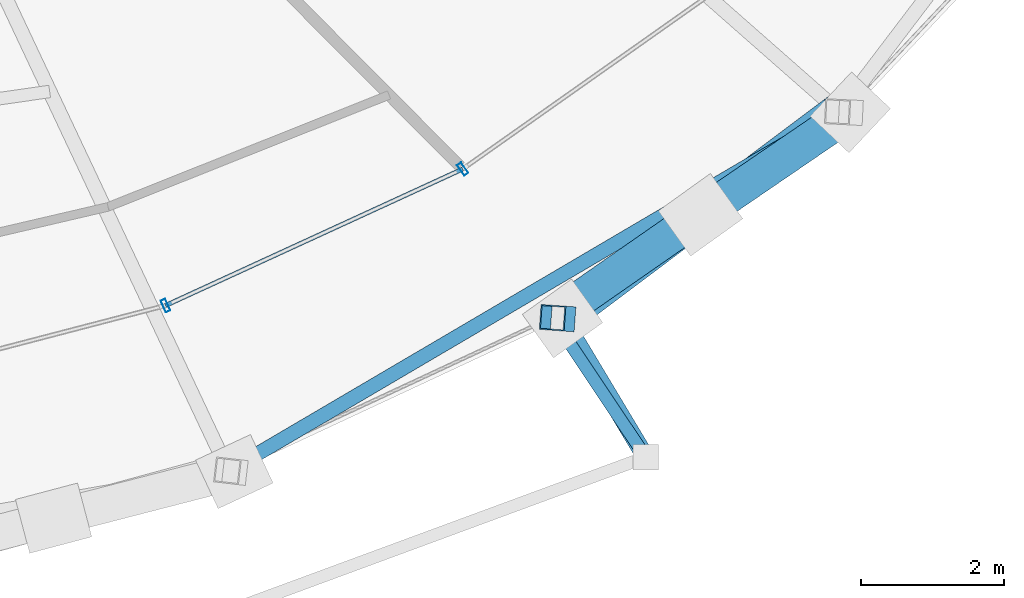
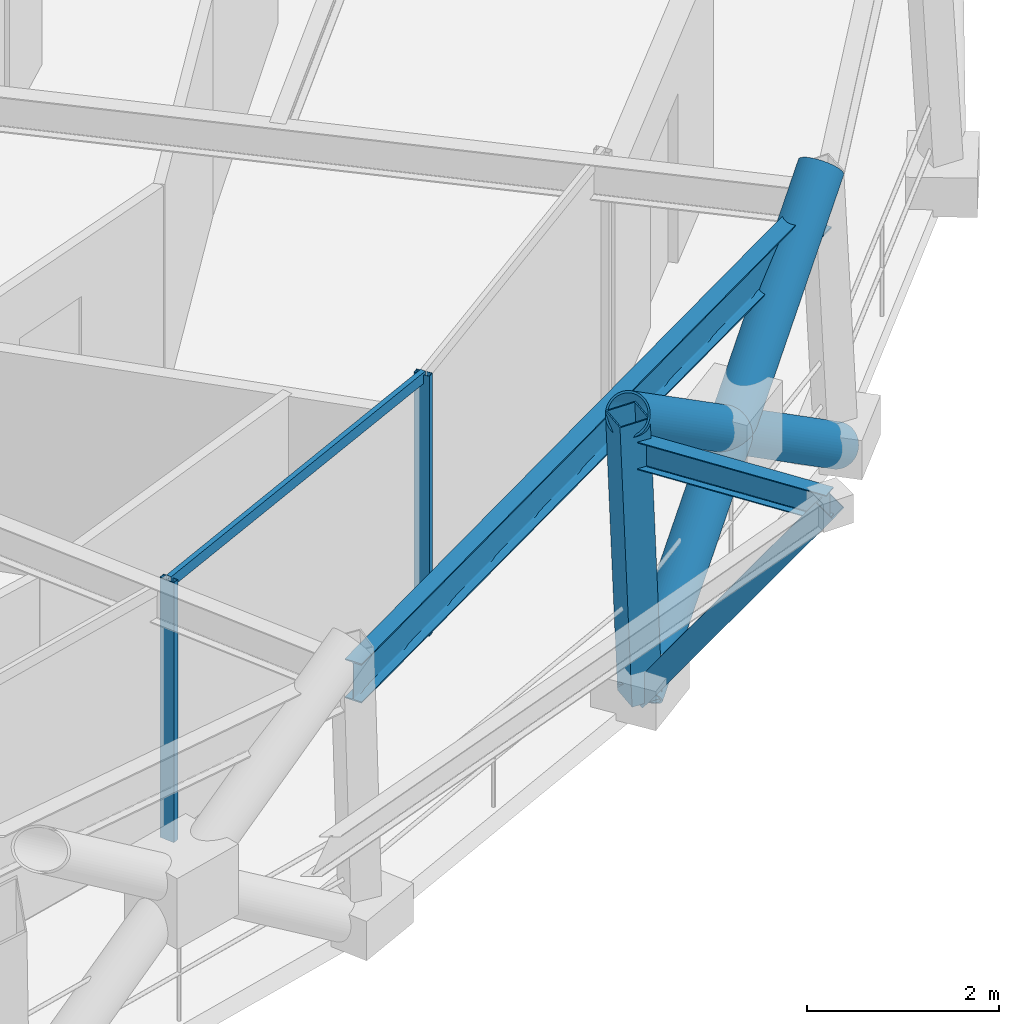
# One storey, part 4 of 17: 8 members, 2 beams, 1 element without a shape of its own.
"""IFC4 building model written with IfcOpenShell, lengths in metres."""

from ifc_helpers import new_model, si_unit, direction, frame, origin, origin_2d, place, context, subcontext, project, spatial, hollow_rectangle, hollow_circle, i_section, extrude, material, layer, layer_set, material_profile, profile_set, type_object, element, aggregate, save


model = new_model("IFC4")

# Units and contexts
model_context = context("Model", 3, precision=1e-05, world=origin(), true_north=direction((0.0, 1.0)))
body_context = subcontext(model_context, "Body", "Model", "MODEL_VIEW")
ifc_project = project(units=[si_unit("LENGTHUNIT", "METRE"), si_unit("AREAUNIT", "SQUARE_METRE"), si_unit("VOLUMEUNIT", "CUBIC_METRE"), si_unit("PLANEANGLEUNIT", "RADIAN"), si_unit("MASSUNIT", "GRAM", prefix="KILO")], contexts=[model_context])

# Site, building, storey
site_placement = place(None, origin())
site = spatial("IfcSite", under=ifc_project, at=site_placement, CompositionType="ELEMENT")
building_placement = place(site_placement, origin())
building = spatial("IfcBuilding", under=site, at=building_placement, Name="Veldorina Hangang Commons", CompositionType="ELEMENT")
storey_placement = place(building_placement, frame((0.0, 0.0, 196.39990234375)))
storey = spatial("IfcBuildingStorey", under=building, at=storey_placement, Name="L51", CompositionType="ELEMENT", Elevation=196.39990234375)

# Beams
ifc_material_1 = material(Name="Steel SM355-TMC", Category="steel")
ifc_material_profile_1 = material_profile(ifc_material_1, i_section(OverallWidth=0.175048828125, OverallDepth=0.35009765625, WebThickness=0.007080078125, FlangeThickness=0.010986328125, FilletRadius=0.012939453125, at=origin_2d()), Name="H-350x175x7x11")
ifc_profile_set_1 = profile_set([ifc_material_profile_1], Name="Steel SM355-TMC")
beam_type_1 = type_object("IfcBeamType", Name="BM-FG350", PredefinedType="BEAM", material=ifc_profile_set_1)
beam_1_placement = place(storey_placement, frame((46.64501953125, 4.697265625, 3.175048828125), z_axis=(0.555610910886, -0.831442430782, 0.0), x_axis=(0.831442430782, 0.555610910886, 0.0)))
element("IfcBeam", 1, at=beam_1_placement, inside=storey, type_object=beam_type_1, Name="L52 tree balcony 1 bracket beam B", PredefinedType="BEAM", context=body_context, shape_type="SweptSolid", body=[
    extrude(i_section(OverallWidth=0.175048828125, OverallDepth=0.35009765625, WebThickness=0.007080078125, FlangeThickness=0.010986328125, FilletRadius=0.012939453125, at=origin_2d()), origin(), (0.0, 0.0, 1.0), 2.349853515625),
])
ifc_material_2 = material(Name="Steel SM420-TMC", Category="steel")
ifc_material_profile_2 = material_profile(ifc_material_2, i_section(OverallWidth=0.199951171875, OverallDepth=0.5, WebThickness=0.010009765625, FlangeThickness=0.01611328125, FilletRadius=0.01611328125, at=origin_2d()), Name="H-500x200x10x16")
ifc_profile_set_2 = profile_set([ifc_material_profile_2], Name="Steel SM420-TMC")
beam_type_2 = type_object("IfcBeamType", Name="BM-RB500", PredefinedType="BEAM", material=ifc_profile_set_2)
beam_2_placement = place(storey_placement, frame((42.10107421875, 2.55029296875, 3.10009765625), z_axis=(0.862120555548, 0.506703214615, 0.0), x_axis=(-0.506703214615, 0.862120555548, 0.0)))
element("IfcBeam", 2, at=beam_2_placement, inside=storey, type_object=beam_type_2, Name="L51 perimeter hoop ring beam 26", PredefinedType="BEAM", context=body_context, shape_type="SweptSolid", body=[
    extrude(i_section(OverallWidth=0.199951171875, OverallDepth=0.5, WebThickness=0.010009765625, FlangeThickness=0.01611328125, FilletRadius=0.01611328125, at=origin_2d()), origin(), (0.0, 0.0, 1.0), 9.932861328125),
])

# Curtain wall, members
ifc_material_3 = material(Name="Glass Low-E Triple IGU", Category="glass")
ifc_layer = layer(ifc_material_3, 0.179931640625)
ifc_layer_set = layer_set([ifc_layer], Name="Glass Low-E Triple IGU")
curtain_wall_type = type_object("IfcCurtainWallType", Name="CW-SYS-Z2", PredefinedType="NOTDEFINED", material=ifc_layer_set)
curtain_wall_placement = place(storey_placement, origin())
curtain_wall = element("IfcCurtainWall", 3, at=curtain_wall_placement, inside=storey, type_object=curtain_wall_type, Name="L51 unitised curtain wall CW-L51-R1", PredefinedType="NOTDEFINED")
ifc_material_4 = material(Name="Aluminium Anodized AA6063-T6", Category="aluminium")
ifc_material_profile_3 = material_profile(ifc_material_4, hollow_rectangle(XDim=0.070068359375, YDim=0.179931640625, WallThickness=0.00390625, at=origin_2d()), Name="ALU-RHS-180x70x4")
ifc_profile_set_3 = profile_set([ifc_material_profile_3], Name="Aluminium Anodized AA6063-T6")
member_type_1 = type_object("IfcMemberType", Name="CW-MUL-180", PredefinedType="MULLION", material=ifc_profile_set_3)
member_1_placement = place(storey_placement, frame((41.219482421875, 4.868896484375, 0.0), z_axis=(0.0, 0.0, 1.0), x_axis=(0.908683133569, 0.417486482137, 0.0)))
member_1 = element("IfcMember", 4, at=member_1_placement, type_object=member_type_1, Name="CW-L51-R1 vertical mullion 2", PredefinedType="MULLION", context=body_context, shape_type="SweptSolid", body=[
    extrude(hollow_rectangle(XDim=0.070068359375, YDim=0.179931640625, WallThickness=0.00390625, at=origin_2d()), origin(), (0.0, 0.0, 1.0), 3.31005859375),
])
member_2_placement = place(storey_placement, frame((45.384765625, 6.782470703125, 0.0), z_axis=(0.0, 0.0, 1.0), x_axis=(0.817165019121, 0.576403792081, 0.0)))
member_2 = element("IfcMember", 5, at=member_2_placement, type_object=member_type_1, Name="CW-L51-R1 vertical mullion 3", PredefinedType="MULLION", context=body_context, shape_type="SweptSolid", body=[
    extrude(hollow_rectangle(XDim=0.070068359375, YDim=0.179931640625, WallThickness=0.00390625, at=origin_2d()), origin(), (0.0, 0.0, 1.0), 3.31005859375),
])
ifc_material_profile_4 = material_profile(ifc_material_4, hollow_rectangle(XDim=0.06005859375, YDim=0.139892578125, WallThickness=0.00341796875, at=origin_2d()), Name="ALU-RHS-140x60x3.5")
ifc_profile_set_4 = profile_set([ifc_material_profile_4], Name="Aluminium Anodized AA6063-T6")
member_type_2 = type_object("IfcMemberType", Name="CW-TRN-140", PredefinedType="USERDEFINED", material=ifc_profile_set_4)
member_3_placement = place(storey_placement, frame((41.219482421875, 4.868896484375, 3.27001953125), z_axis=(0.908693772522, 0.417463325071, 0.0), x_axis=(-0.417463325071, 0.908693772522, 0.0)))
member_3 = element("IfcMember", 6, at=member_3_placement, type_object=member_type_2, Name="CW-L51-R1 facet 3 transom 1", ObjectType="TRANSOM", PredefinedType="USERDEFINED", context=body_context, shape_type="SweptSolid", body=[
    extrude(hollow_rectangle(XDim=0.06005859375, YDim=0.139892578125, WallThickness=0.00341796875, at=origin_2d()), origin(), (0.0, 0.0, 1.0), 4.583740234375),
])
aggregate(curtain_wall, [member_1, member_2, member_3])

# Members
ifc_material_profile_5 = material_profile(ifc_material_2, hollow_circle(Radius=0.25, WallThickness=0.02490234375, at=origin_2d()), Name="CHS-500x25")
ifc_profile_set_5 = profile_set([ifc_material_profile_5], Name="Steel SM420-TMC")
member_type_3 = type_object("IfcMemberType", Name="DG-CHS500", PredefinedType="BRACE", material=ifc_profile_set_5)
member_4_placement = place(storey_placement, frame((46.784912109375, 4.687255859375, 0.0), z_axis=(0.640558891177, 0.481443559542, 0.598244436589), x_axis=(-0.600817855641, 0.799385954557, 0.0)))
element("IfcMember", 7, at=member_4_placement, inside=storey, type_object=member_type_3, Name="L51 continuous perimeter diagrid brace 27", PredefinedType="BRACE", context=body_context, shape_type="SweptSolid", body=[
    extrude(hollow_circle(Radius=0.25, WallThickness=0.02490234375, at=origin_2d()), origin(), (0.0, 0.0, 1.0), 6.017822265625),
])
member_5_placement = place(storey_placement, frame((50.8173828125, 7.57568359375, 0.0), z_axis=(-0.672983786345, -0.460215386754, 0.579046303082), x_axis=(0.564477373183, -0.825448541803, 0.0)))
element("IfcMember", 8, at=member_5_placement, inside=storey, type_object=member_type_3, Name="L51 split perimeter diagrid lower brace 28", PredefinedType="BRACE", context=body_context, shape_type="SweptSolid", body=[
    extrude(hollow_circle(Radius=0.25, WallThickness=0.02490234375, at=origin_2d()), origin(), (0.0, 0.0, 1.0), 3.11865234375),
])
member_6_placement = place(storey_placement, frame((48.718505859375, 6.140380859375, 1.805908203125), z_axis=(-0.669178486613, -0.465738141336, 0.579040703888), x_axis=(0.57124852378, -0.820777146416, 0.0)))
element("IfcMember", 9, at=member_6_placement, inside=storey, type_object=member_type_3, Name="L51 split perimeter diagrid upper brace 28", PredefinedType="BRACE", context=body_context, shape_type="SweptSolid", body=[
    extrude(hollow_circle(Radius=0.25, WallThickness=0.02490234375, at=origin_2d()), origin(), (0.0, 0.0, 1.0), 3.0986328125),
])
ifc_material_profile_6 = material_profile(ifc_material_1, hollow_rectangle(XDim=0.25, YDim=0.25, WallThickness=0.011962890625, at=origin_2d()), Name="SHS-250x250x12")
ifc_profile_set_6 = profile_set([ifc_material_profile_6], Name="Steel SM355-TMC")
member_type_4 = type_object("IfcMemberType", Name="STR-SHS250", PredefinedType="STRUT", material=ifc_profile_set_6)
member_7_placement = place(storey_placement, frame((46.784912109375, 4.687255859375, 0.0), z_axis=(0.29883225784, -0.498283232862, 0.813887646744), x_axis=(0.857597451341, 0.514321505922, 0.0)))
element("IfcMember", 10, at=member_7_placement, inside=storey, type_object=member_type_4, Name="L52 tree balcony 1 raking knee strut B", PredefinedType="STRUT", context=body_context, shape_type="SweptSolid", body=[
    extrude(hollow_rectangle(XDim=0.25, YDim=0.25, WallThickness=0.011962890625, at=origin_2d()), origin(), (0.0, 0.0, 1.0), 3.901123046875),
])
ifc_material_profile_7 = material_profile(ifc_material_1, hollow_rectangle(XDim=0.35009765625, YDim=0.35009765625, WallThickness=0.01611328125, at=origin_2d()), Name="SHS-350x350x16")
ifc_profile_set_7 = profile_set([ifc_material_profile_7], Name="Steel SM355-TMC")
member_type_5 = type_object("IfcMemberType", Name="STR-SHS350", PredefinedType="STRUT", material=ifc_profile_set_7)
member_8_placement = place(storey_placement, frame((46.784912109375, 4.687255859375, 0.0), z_axis=(-0.038828542015, 0.002778307544, 0.999242025403), x_axis=(-0.071370757575, -0.997449855864, 0.0)))
element("IfcMember", 11, at=member_8_placement, inside=storey, type_object=member_type_5, Name="L51 perimeter ring node post 27", PredefinedType="STRUT", context=body_context, shape_type="SweptSolid", body=[
    extrude(hollow_rectangle(XDim=0.35009765625, YDim=0.35009765625, WallThickness=0.01611328125, at=origin_2d()), origin(), (0.0, 0.0, 1.0), 3.602783203125),
])

save(model, "model.ifc")
